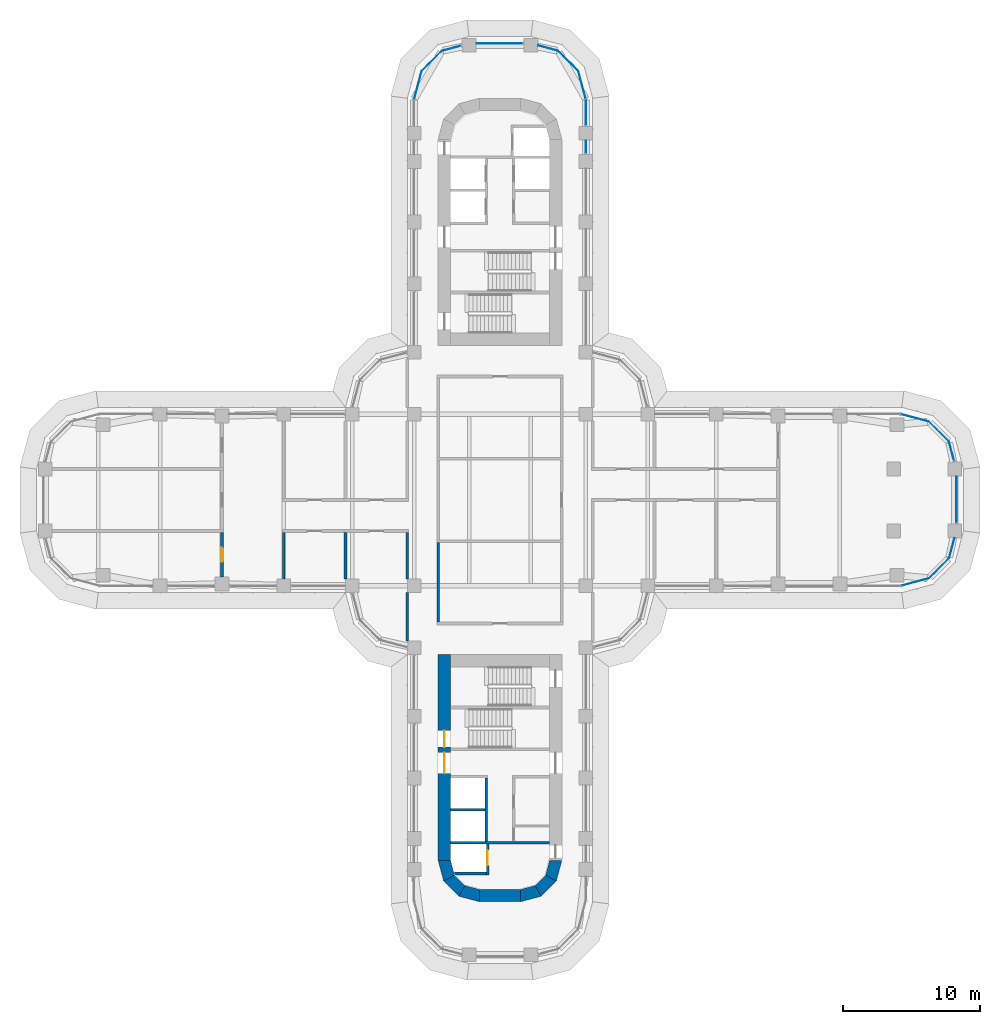
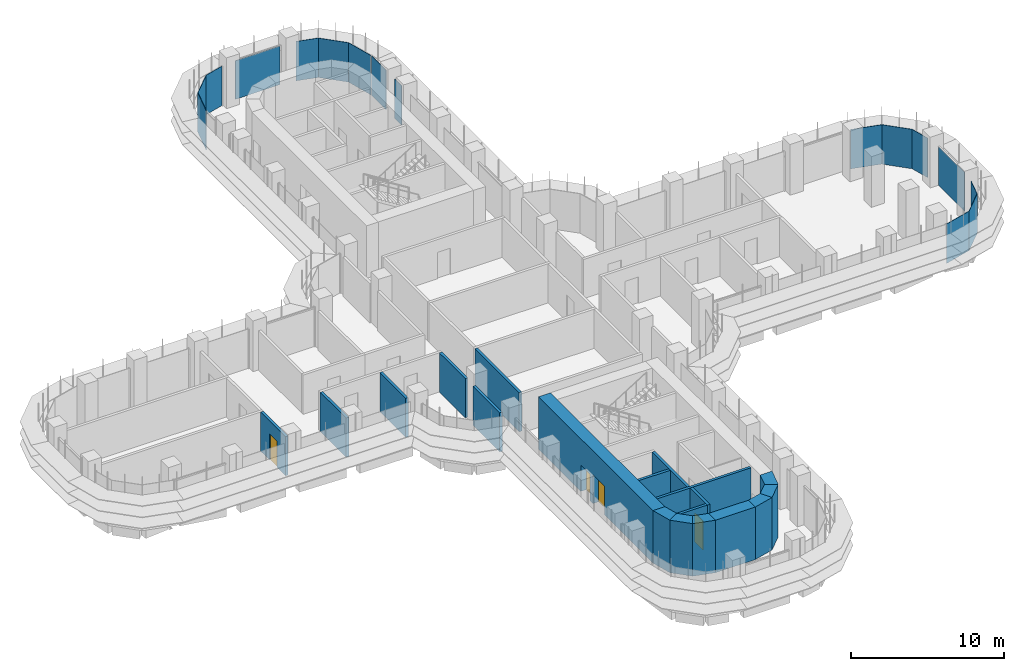
# One storey, part 16 of 23: 19 walls, 16 plates, 4 doors, 4 openings, 15 elements without a shape of their own.
"""IFC4 building model written with IfcOpenShell, lengths in metres."""

from ifc_helpers import new_model, si_unit, direction, frame, frame_2d, origin, place, context, subcontext, project, spatial, polyline, rectangle, outline, extrude, source, transform, mapped, material, layer, layer_set, type_object, element, fill, aggregate, save


model = new_model("IFC4")

# Units and contexts
model_context = context("Model", 3, precision=1e-05, world=origin(), true_north=direction((0.0, 1.0)))
body_context = subcontext(model_context, "Body", "Model", "MODEL_VIEW")
ifc_project = project(units=[si_unit("LENGTHUNIT", "METRE"), si_unit("AREAUNIT", "SQUARE_METRE"), si_unit("VOLUMEUNIT", "CUBIC_METRE"), si_unit("PLANEANGLEUNIT", "RADIAN"), si_unit("MASSUNIT", "GRAM", prefix="KILO")], contexts=[model_context])

# Site, building, storey
site_placement = place(None, origin())
site = spatial("IfcSite", under=ifc_project, at=site_placement, CompositionType="ELEMENT")
building_placement = place(site_placement, origin())
building = spatial("IfcBuilding", under=site, at=building_placement, Name="Zarbagh Exchange Tower", CompositionType="ELEMENT")
storey_placement = place(building_placement, frame((0.0, 0.0, 31.199951171875)))
storey = spatial("IfcBuildingStorey", under=building, at=storey_placement, Name="L06", CompositionType="ELEMENT", Elevation=31.199951171875)

# Curtain wall, plate
ifc_material_1 = material(Name="Anodised aluminium frame and glazing", Category="aluminium")
curtain_wall_type = type_object("IfcCurtainWallType", Name="CWA Ribbon glazing, lower zones", PredefinedType="NOTDEFINED", material=ifc_material_1)
curtain_wall_1_placement = place(storey_placement, origin())
curtain_wall_1 = element("IfcCurtainWall", 1, at=curtain_wall_1_placement, inside=storey, type_object=curtain_wall_type, Name="CWA13 curtain wall", PredefinedType="NOTDEFINED")
ifc_material_2 = material(Name="Low-e double glazed unit, 6+12+6 mm")
ifc_layer_1 = layer(ifc_material_2, 0.028076171875)
ifc_layer_set_1 = layer_set([ifc_layer_1], Name="PAA Glazing panel, Low-e double glazed unit, 6+12+6 mm")
plate_type = type_object("IfcPlateType", Name="PAA Glazing panel, Low-e double glazed unit, 6+12+6 mm", PredefinedType="CURTAIN_PANEL", material=ifc_layer_set_1)
shared_shape_1 = source(origin(), body_context, "Body", "SweptSolid", [
    extrude(outline(polyline([(0.0, -0.013916015625), (1.4423828125, -0.013916015625), (1.4423828125, 0.013916015625), (0.0, 0.013916015625), (0.0, -0.013916015625)])), origin(), (0.0, 0.0, 1.0), 3.14990234375),
])
placement = place(storey_placement, origin())
plate_1 = element("IfcPlate", 2, at=placement, type_object=plate_type, Name="CWA13 glazing panel 1.1", PredefinedType="CURTAIN_PANEL", context=body_context, shape_type="MappedRepresentation", body=[
    mapped(shared_shape_1, transform((33.072021484375, 2.847900390625, 0.0), x_axis=(-0.258824779902, 0.965924289636, 0.0), y_axis=(-0.965924289636, -0.258824779902, 0.0), z_axis=(0.0, 0.0, 1.0))),
])
aggregate(curtain_wall_1, [plate_1])

curtain_wall_2_placement = place(storey_placement, origin())
curtain_wall_2 = element("IfcCurtainWall", 3, at=curtain_wall_2_placement, inside=storey, type_object=curtain_wall_type, Name="CWA25 curtain wall", PredefinedType="NOTDEFINED")
plate_2 = element("IfcPlate", 4, at=placement, type_object=plate_type, Name="CWA25 glazing panel 1.1", PredefinedType="CURTAIN_PANEL", context=body_context, shape_type="MappedRepresentation", body=[
    mapped(shared_shape_1, transform((-2.847900390625, 33.072021484375, 0.0), x_axis=(-0.965924289636, -0.258824779902, 0.0), y_axis=(0.258824779902, -0.965924289636, 0.0), z_axis=(0.0, 0.0, 1.0))),
])
aggregate(curtain_wall_2, [plate_2])

curtain_wall_3_placement = place(storey_placement, origin())
curtain_wall_3 = element("IfcCurtainWall", 5, at=curtain_wall_3_placement, inside=storey, type_object=curtain_wall_type, Name="CWA10 curtain wall", PredefinedType="NOTDEFINED")
shared_shape_2 = source(origin(), body_context, "Body", "SweptSolid", [
    extrude(outline(polyline([(0.0, -0.013916015625), (2.061279296875, -0.013916015625), (2.061279296875, 0.013916015625), (0.0, 0.013916015625), (0.0, -0.013916015625)])), origin(), (0.0, 0.0, 1.0), 3.14990234375),
])
plate_3 = element("IfcPlate", 6, at=placement, type_object=plate_type, Name="CWA10 glazing panel 1.1", PredefinedType="CURTAIN_PANEL", context=body_context, shape_type="MappedRepresentation", body=[
    mapped(shared_shape_2, transform((31.2412109375, -5.69873046875, 0.0), x_axis=(0.707106781187, 0.707106781187, 0.0), y_axis=(-0.707106781187, 0.707106781187, 0.0), z_axis=(0.0, 0.0, 1.0))),
])
aggregate(curtain_wall_3, [plate_3])

curtain_wall_4_placement = place(storey_placement, origin())
curtain_wall_4 = element("IfcCurtainWall", 7, at=curtain_wall_4_placement, inside=storey, type_object=curtain_wall_type, Name="CWA14 curtain wall", PredefinedType="NOTDEFINED")
plate_4 = element("IfcPlate", 8, at=placement, type_object=plate_type, Name="CWA14 glazing panel 1.1", PredefinedType="CURTAIN_PANEL", context=body_context, shape_type="MappedRepresentation", body=[
    mapped(shared_shape_2, transform((32.69873046875, 4.2412109375, 0.0), x_axis=(-0.707106781187, 0.707106781187, 0.0), y_axis=(-0.707106781187, -0.707106781187, 0.0), z_axis=(0.0, 0.0, 1.0))),
])
aggregate(curtain_wall_4, [plate_4])

curtain_wall_5_placement = place(storey_placement, origin())
curtain_wall_5 = element("IfcCurtainWall", 9, at=curtain_wall_5_placement, inside=storey, type_object=curtain_wall_type, Name="CWA22 curtain wall", PredefinedType="NOTDEFINED")
plate_5 = element("IfcPlate", 10, at=placement, type_object=plate_type, Name="CWA22 glazing panel 1.1", PredefinedType="CURTAIN_PANEL", context=body_context, shape_type="MappedRepresentation", body=[
    mapped(shared_shape_2, transform((5.69873046875, 31.2412109375, 0.0), x_axis=(-0.707106781187, 0.707106781187, 0.0), y_axis=(-0.707106781187, -0.707106781187, 0.0), z_axis=(0.0, 0.0, 1.0))),
])
aggregate(curtain_wall_5, [plate_5])

curtain_wall_6_placement = place(storey_placement, origin())
curtain_wall_6 = element("IfcCurtainWall", 11, at=curtain_wall_6_placement, inside=storey, type_object=curtain_wall_type, Name="CWA26 curtain wall", PredefinedType="NOTDEFINED")
plate_6 = element("IfcPlate", 12, at=placement, type_object=plate_type, Name="CWA26 glazing panel 1.1", PredefinedType="CURTAIN_PANEL", context=body_context, shape_type="MappedRepresentation", body=[
    mapped(shared_shape_2, transform((-4.2412109375, 32.69873046875, 0.0), x_axis=(-0.707106781187, -0.707106781187, 0.0), y_axis=(0.707106781187, -0.707106781187, 0.0), z_axis=(0.0, 0.0, 1.0))),
])
aggregate(curtain_wall_6, [plate_6])

curtain_wall_7_placement = place(storey_placement, origin())
curtain_wall_7 = element("IfcCurtainWall", 13, at=curtain_wall_7_placement, inside=storey, type_object=curtain_wall_type, Name="CWA15 curtain wall", PredefinedType="NOTDEFINED")
shared_shape_3 = source(origin(), body_context, "Body", "SweptSolid", [
    extrude(outline(polyline([(0.0, -0.013916015625), (2.129638671875, -0.013916015625), (2.129638671875, 0.013916015625), (0.0, 0.013916015625), (0.0, -0.013916015625)])), origin(), (0.0, 0.0, 1.0), 3.14990234375),
])
plate_7 = element("IfcPlate", 14, at=placement, type_object=plate_type, Name="CWA15 glazing panel 1.1", PredefinedType="CURTAIN_PANEL", context=body_context, shape_type="MappedRepresentation", body=[
    mapped(shared_shape_3, transform((31.2412109375, 5.69873046875, 0.0), x_axis=(-0.965924289636, 0.258824779902, 0.0), y_axis=(-0.258824779902, -0.965924289636, 0.0), z_axis=(0.0, 0.0, 1.0))),
])
aggregate(curtain_wall_7, [plate_7])

curtain_wall_8_placement = place(storey_placement, origin())
curtain_wall_8 = element("IfcCurtainWall", 15, at=curtain_wall_8_placement, inside=storey, type_object=curtain_wall_type, Name="CWA27 curtain wall", PredefinedType="NOTDEFINED")
plate_8 = element("IfcPlate", 16, at=placement, type_object=plate_type, Name="CWA27 glazing panel 1.1", PredefinedType="CURTAIN_PANEL", context=body_context, shape_type="MappedRepresentation", body=[
    mapped(shared_shape_3, transform((-5.69873046875, 31.2412109375, 0.0), x_axis=(-0.258824779902, -0.965924289636, 0.0), y_axis=(0.965924289636, -0.258824779902, 0.0), z_axis=(0.0, 0.0, 1.0))),
])
aggregate(curtain_wall_8, [plate_8])

curtain_wall_9_placement = place(storey_placement, origin())
curtain_wall_9 = element("IfcCurtainWall", 17, at=curtain_wall_9_placement, inside=storey, type_object=curtain_wall_type, Name="CWA09 curtain wall", PredefinedType="NOTDEFINED")
shared_shape_4 = source(origin(), body_context, "Body", "SweptSolid", [
    extrude(outline(polyline([(0.0, -0.013916015625), (2.069580078125, -0.013916015625), (2.069580078125, 0.013916015625), (0.0, 0.013916015625), (0.0, -0.013916015625)])), origin(), (0.0, 0.0, 1.0), 3.14990234375),
])
plate_9 = element("IfcPlate", 18, at=placement, type_object=plate_type, Name="CWA09 glazing panel 1.1", PredefinedType="CURTAIN_PANEL", context=body_context, shape_type="MappedRepresentation", body=[
    mapped(shared_shape_4, transform((29.2421875, -6.234375, 0.0), x_axis=(0.965924289636, 0.258824779902, 0.0), y_axis=(-0.258824779902, 0.965924289636, 0.0), z_axis=(0.0, 0.0, 1.0))),
])
aggregate(curtain_wall_9, [plate_9])

curtain_wall_10_placement = place(storey_placement, origin())
curtain_wall_10 = element("IfcCurtainWall", 19, at=curtain_wall_10_placement, inside=storey, type_object=curtain_wall_type, Name="CWA21 curtain wall", PredefinedType="NOTDEFINED")
plate_10 = element("IfcPlate", 20, at=placement, type_object=plate_type, Name="CWA21 glazing panel 1.1", PredefinedType="CURTAIN_PANEL", context=body_context, shape_type="MappedRepresentation", body=[
    mapped(shared_shape_4, transform((6.234375, 29.2421875, 0.0), x_axis=(-0.258824779902, 0.965924289636, 0.0), y_axis=(-0.965924289636, -0.258824779902, 0.0), z_axis=(0.0, 0.0, 1.0))),
])
aggregate(curtain_wall_10, [plate_10])

curtain_wall_11_placement = place(storey_placement, origin())
curtain_wall_11 = element("IfcCurtainWall", 21, at=curtain_wall_11_placement, inside=storey, type_object=curtain_wall_type, Name="CWA11 curtain wall", PredefinedType="NOTDEFINED")
shared_shape_5 = source(origin(), body_context, "Body", "SweptSolid", [
    extrude(outline(polyline([(0.0, -0.013916015625), (1.50244140625, -0.013916015625), (1.50244140625, 0.013916015625), (0.0, 0.013916015625), (0.0, -0.013916015625)])), origin(), (0.0, 0.0, 1.0), 3.14990234375),
])
plate_11 = element("IfcPlate", 22, at=placement, type_object=plate_type, Name="CWA11 glazing panel 1.1", PredefinedType="CURTAIN_PANEL", context=body_context, shape_type="MappedRepresentation", body=[
    mapped(shared_shape_5, transform((32.69873046875, -4.2412109375, 0.0), x_axis=(0.258824779902, 0.965924289636, 0.0), y_axis=(-0.965924289636, 0.258824779902, 0.0), z_axis=(0.0, 0.0, 1.0))),
])
aggregate(curtain_wall_11, [plate_11])

curtain_wall_12_placement = place(storey_placement, origin())
curtain_wall_12 = element("IfcCurtainWall", 23, at=curtain_wall_12_placement, inside=storey, type_object=curtain_wall_type, Name="CWA23 curtain wall", PredefinedType="NOTDEFINED")
plate_12 = element("IfcPlate", 24, at=placement, type_object=plate_type, Name="CWA23 glazing panel 1.1", PredefinedType="CURTAIN_PANEL", context=body_context, shape_type="MappedRepresentation", body=[
    mapped(shared_shape_5, transform((4.2412109375, 32.69873046875, 0.0), x_axis=(-0.965924289636, 0.258824779902, 0.0), y_axis=(-0.258824779902, -0.965924289636, 0.0), z_axis=(0.0, 0.0, 1.0))),
])
aggregate(curtain_wall_12, [plate_12])

curtain_wall_13_placement = place(storey_placement, origin())
curtain_wall_13 = element("IfcCurtainWall", 25, at=curtain_wall_13_placement, inside=storey, type_object=curtain_wall_type, Name="CWA12 curtain wall", PredefinedType="NOTDEFINED")
shared_shape_6 = source(origin(), body_context, "Body", "SweptSolid", [
    extrude(outline(polyline([(0.0, -0.013916015625), (3.360107421875, -0.013916015625), (3.360107421875, 0.013916015625), (0.0, 0.013916015625), (0.0, -0.013916015625)])), origin(), (0.0, 0.0, 1.0), 3.090087890625),
])
plate_13 = element("IfcPlate", 26, at=placement, type_object=plate_type, Name="CWA12 glazing panel 1.1", PredefinedType="CURTAIN_PANEL", context=body_context, shape_type="MappedRepresentation", body=[
    mapped(shared_shape_6, transform((33.25, -1.64990234375, 0.0), x_axis=(0.0, 1.0, 0.0), y_axis=(-1.0, 0.0, 0.0), z_axis=(0.0, 0.0, 1.0))),
])
aggregate(curtain_wall_13, [plate_13])

curtain_wall_14_placement = place(storey_placement, origin())
curtain_wall_14 = element("IfcCurtainWall", 27, at=curtain_wall_14_placement, inside=storey, type_object=curtain_wall_type, Name="CWA24 curtain wall", PredefinedType="NOTDEFINED")
plate_14 = element("IfcPlate", 28, at=placement, type_object=plate_type, Name="CWA24 glazing panel 1.1", PredefinedType="CURTAIN_PANEL", context=body_context, shape_type="MappedRepresentation", body=[
    mapped(shared_shape_6, transform((1.64990234375, 33.25, 0.0), x_axis=(-1.0, 0.0, 0.0), y_axis=(0.0, -1.0, 0.0), z_axis=(0.0, 0.0, 1.0))),
])
aggregate(curtain_wall_14, [plate_14])

# Curtain wall, plates
curtain_wall_15_placement = place(storey_placement, origin())
curtain_wall_15 = element("IfcCurtainWall", 29, at=curtain_wall_15_placement, inside=storey, type_object=curtain_wall_type, Name="CWA20 curtain wall", PredefinedType="NOTDEFINED")
shared_shape_7 = source(origin(), body_context, "Body", "SweptSolid", [
    extrude(outline(polyline([(0.0, -0.013916015625), (0.909912109375, -0.013916015625), (0.909912109375, 0.013916015625), (0.0, 0.013916015625), (0.0, -0.013916015625)])), origin(), (0.0, 0.0, 1.0), 3.14990234375),
])
plate_15 = element("IfcPlate", 30, at=placement, type_object=plate_type, Name="CWA20 glazing panel 4.1", PredefinedType="CURTAIN_PANEL", context=body_context, shape_type="MappedRepresentation", body=[
    mapped(shared_shape_7, transform((6.25, 25.25, 0.0), x_axis=(0.0, 1.0, 0.0), y_axis=(-1.0, 0.0, 0.0), z_axis=(0.0, 0.0, 1.0))),
])
shared_shape_8 = source(origin(), body_context, "Body", "SweptSolid", [
    extrude(outline(polyline([(0.0, -0.013916015625), (1.884033203125, -0.013916015625), (1.884033203125, 0.013916015625), (0.0, 0.013916015625), (0.0, -0.013916015625)])), origin(), (0.0, 0.0, 1.0), 3.14990234375),
])
plate_16 = element("IfcPlate", 31, at=placement, type_object=plate_type, Name="CWA20 glazing panel 5.1", PredefinedType="CURTAIN_PANEL", context=body_context, shape_type="MappedRepresentation", body=[
    mapped(shared_shape_8, transform((6.25, 27.300048828125, 0.0), x_axis=(0.0, 1.0, 0.0), y_axis=(-1.0, 0.0, 0.0), z_axis=(0.0, 0.0, 1.0))),
])
aggregate(curtain_wall_15, [plate_15, plate_16])

# Walls
ifc_material_3 = material(Name="Fire-rated plasterboard partition")
ifc_layer_2 = layer(ifc_material_3, 0.199951171875)
ifc_layer_set_2 = layer_set([ifc_layer_2], Name="RATED PARTITION 200")
wall_type_1 = type_object("IfcWallType", Name="RATED PARTITION 200", PredefinedType="PARTITIONING", material=ifc_layer_set_2)
wall_1_placement = place(storey_placement, frame((-4.5, -8.89990234375, 0.0), z_axis=(0.0, 0.0, 1.0), x_axis=(0.0, 1.0, 0.0)))
element("IfcWall", 32, at=wall_1_placement, inside=storey, type_object=wall_type_1, Name="Partition W-203", PredefinedType="PARTITIONING", context=body_context, shape_type="SweptSolid", body=[
    extrude(rectangle(XDim=5.7998046875, YDim=0.199951171875, at=frame_2d((2.89990234375, 0.0))), origin(), (0.0, 0.0, 1.0), 3.130615234375),
])
wall_2_placement = place(storey_placement, frame((-6.75, -10.25, 0.0), z_axis=(0.0, 0.0, 1.0), x_axis=(0.0, 1.0, 0.0)))
element("IfcWall", 33, at=wall_2_placement, inside=storey, type_object=wall_type_1, Name="Partition W-206", PredefinedType="PARTITIONING", context=body_context, shape_type="SweptSolid", body=[
    extrude(rectangle(XDim=3.5, YDim=0.199951171875, at=frame_2d((1.75, 0.0))), origin(), (0.0, 0.0, 1.0), 3.130615234375),
])
for number, where, z_axis, x_axis, name in (
    (34, (-6.75, -5.75, 0.0), (0.0, 0.0, 1.0), (0.0, 1.0, 0.0), "Partition W-207"),
    (35, (-11.25, -5.75, 0.0), (0.0, 0.0, 1.0), (0.0, 1.0, 0.0), "Partition W-235"),
    (36, (-15.75, -5.75, 0.0), (0.0, 0.0, 1.0), (0.0, 1.0, 0.0), "Partition W-237"),
):
    element("IfcWall", number, at=place(storey_placement, frame(where, z_axis=z_axis, x_axis=x_axis)), inside=storey, type_object=wall_type_1, Name=name, PredefinedType="PARTITIONING", context=body_context, shape_type="SweptSolid", body=[
        extrude(rectangle(XDim=3.39990234375, YDim=0.199951171875, at=frame_2d((1.699951171875, 0.0))), origin(), (0.0, 0.0, 1.0), 3.130615234375),
    ])

# Wall, opening, door
wall_3_placement = place(storey_placement, frame((-20.25, -5.610107421875, 0.0), z_axis=(0.0, 0.0, 1.0), x_axis=(0.0, 1.0, 0.0)))
wall_3 = element("IfcWall", 37, at=wall_3_placement, inside=storey, type_object=wall_type_1, Name="Partition W-238", PredefinedType="PARTITIONING", context=body_context, shape_type="SweptSolid", body=[
    extrude(rectangle(XDim=3.260009765625, YDim=0.199951171875, at=frame_2d((1.6298828125, 0.0))), origin(), (0.0, 0.0, 1.0), 3.130615234375),
])
opening_1_placement = place(wall_3_placement, frame((1.1298828125, 0.0, 0.0)))
opening_1 = element("IfcOpeningElement", 38, at=opening_1_placement, cuts=wall_3, Name="Opening D-214", PredefinedType="OPENING", context=body_context, shape_type="SweptSolid", body=[
    extrude(rectangle(XDim=1.0, YDim=2.10009765625, at=frame_2d((0.5, 1.050048828125))), frame((0.0, 0.10986328125, 0.0), z_axis=(0.0, -1.0, 0.0), x_axis=(1.0, 0.0, 0.0)), (0.0, 0.0, 1.0), 0.219970703125),
])
ifc_material_4 = material(Name="Steel door set", Category="steel")
door_type_1 = type_object("IfcDoorType", Name="FIRE DOOR 1000 X 2100 FD30S", OperationType="NOTDEFINED", PredefinedType="DOOR", material=ifc_material_4)
door_1_placement = place(opening_1_placement, origin())
door_1 = element("IfcDoor", 39, at=door_1_placement, inside=storey, type_object=door_type_1, Name="Door D-214", OperationType="SINGLE_SWING_LEFT", OverallHeight=2.10009765625, OverallWidth=1.0, PredefinedType="DOOR", context=body_context, shape_type="SweptSolid", body=[
    extrude(rectangle(XDim=1.0, YDim=2.10009765625, at=frame_2d((0.5, 1.050048828125))), frame((0.0, 0.02490234375, 0.0), z_axis=(0.0, -1.0, 0.0), x_axis=(1.0, 0.0, 0.0)), (0.0, 0.0, 1.0), 0.050048828125),
])
fill(opening_1, door_1)

# Walls
ifc_material_5 = material(Name="Concrete C60/75", Category="concrete")
ifc_layer_3 = layer(ifc_material_5, 0.89990234375)
ifc_layer_set_3 = layer_set([ifc_layer_3], Name="RC core corner wall 900 C60/75")
wall_type_2 = type_object("IfcWallType", Name="RC core corner wall 900 C60/75", PredefinedType="SHEAR", material=ifc_layer_set_3)
wall_4_placement = place(storey_placement, origin())
element("IfcWall", 40, at=wall_4_placement, inside=storey, type_object=wall_type_2, Name="CW2 core S corner W", PredefinedType="SHEAR", context=body_context, shape_type="SweptSolid", body=[
    extrude(outline(polyline([(-4.5, -26.25), (-4.09814453125, -27.75), (-3.318603515625, -27.300048828125), (-3.60009765625, -26.25), (-4.5, -26.25)])), origin(), (0.0, 0.0, 1.0), 4.199951171875),
])
wall_5_placement = place(storey_placement, origin())
element("IfcWall", 41, at=wall_5_placement, inside=storey, type_object=wall_type_2, Name="CW2 core S corner W", PredefinedType="SHEAR", context=body_context, shape_type="SweptSolid", body=[
    extrude(outline(polyline([(-4.09814453125, -27.75), (-3.0, -28.84814453125), (-2.550048828125, -28.068603515625), (-3.318603515625, -27.300048828125), (-4.09814453125, -27.75)])), origin(), (0.0, 0.0, 1.0), 4.199951171875),
])
wall_6_placement = place(storey_placement, origin())
element("IfcWall", 42, at=wall_6_placement, inside=storey, type_object=wall_type_2, Name="CW2 core S corner W", PredefinedType="SHEAR", context=body_context, shape_type="SweptSolid", body=[
    extrude(outline(polyline([(-3.0, -28.84814453125), (-1.5, -29.25), (-1.5, -28.35009765625), (-2.550048828125, -28.068603515625), (-3.0, -28.84814453125)])), origin(), (0.0, 0.0, 1.0), 4.199951171875),
])
wall_7_placement = place(storey_placement, origin())
element("IfcWall", 43, at=wall_7_placement, inside=storey, type_object=wall_type_2, Name="CW2 core S corner E", PredefinedType="SHEAR", context=body_context, shape_type="SweptSolid", body=[
    extrude(outline(polyline([(4.5, -26.25), (4.09814453125, -27.75), (3.318603515625, -27.300048828125), (3.60009765625, -26.25), (4.5, -26.25)])), origin(), (0.0, 0.0, 1.0), 4.199951171875),
])
wall_8_placement = place(storey_placement, origin())
element("IfcWall", 44, at=wall_8_placement, inside=storey, type_object=wall_type_2, Name="CW2 core S corner E", PredefinedType="SHEAR", context=body_context, shape_type="SweptSolid", body=[
    extrude(outline(polyline([(4.09814453125, -27.75), (3.0, -28.84814453125), (2.550048828125, -28.068603515625), (3.318603515625, -27.300048828125), (4.09814453125, -27.75)])), origin(), (0.0, 0.0, 1.0), 4.199951171875),
])
wall_9_placement = place(storey_placement, origin())
element("IfcWall", 45, at=wall_9_placement, inside=storey, type_object=wall_type_2, Name="CW2 core S corner E", PredefinedType="SHEAR", context=body_context, shape_type="SweptSolid", body=[
    extrude(outline(polyline([(3.0, -28.84814453125), (1.5, -29.25), (1.5, -28.35009765625), (2.550048828125, -28.068603515625), (3.0, -28.84814453125)])), origin(), (0.0, 0.0, 1.0), 4.199951171875),
])

# Wall, openings, doors
ifc_layer_4 = layer(ifc_material_5, 0.89990234375)
ifc_layer_set_4 = layer_set([ifc_layer_4], Name="RC core wall 900 C60/75")
wall_type_3 = type_object("IfcWallType", Name="RC core wall 900 C60/75", PredefinedType="SHEAR", material=ifc_layer_set_4)
wall_10_placement = place(storey_placement, frame((-4.050048828125, -11.25, 0.0), z_axis=(0.0, 0.0, 1.0), x_axis=(0.0, -1.0, 0.0)))
wall_10 = element("IfcWall", 46, at=wall_10_placement, inside=storey, type_object=wall_type_3, Name="CW1 core S W", PredefinedType="SHEAR", context=body_context, shape_type="SweptSolid", body=[
    extrude(rectangle(XDim=15.0, YDim=0.89990234375, at=frame_2d((7.5, 0.0))), origin(), (0.0, 0.0, 1.0), 4.199951171875),
])
opening_2_placement = place(wall_10_placement, frame((7.14990234375, 0.0, 0.0)))
opening_2 = element("IfcOpeningElement", 47, at=opening_2_placement, cuts=wall_10, Name="Opening CD1-1500", PredefinedType="OPENING", context=body_context, shape_type="SweptSolid", body=[
    extrude(rectangle(XDim=1.5, YDim=2.300048828125, at=frame_2d((0.75, 1.14990234375))), frame((0.0, 0.4599609375, 0.0), z_axis=(0.0, -1.0, 0.0), x_axis=(1.0, 0.0, 0.0)), (0.0, 0.0, 1.0), 0.919921875),
])
opening_3_placement = place(wall_10_placement, frame((5.550048828125, 0.0, 0.0)))
opening_3 = element("IfcOpeningElement", 48, at=opening_3_placement, cuts=wall_10, Name="Opening SD1-1200", PredefinedType="OPENING", context=body_context, shape_type="SweptSolid", body=[
    extrude(rectangle(XDim=1.199951171875, YDim=2.10009765625, at=frame_2d((0.60009765625, 1.050048828125))), frame((0.0, 0.4599609375, 0.0), z_axis=(0.0, -1.0, 0.0), x_axis=(1.0, 0.0, 0.0)), (0.0, 0.0, 1.0), 0.919921875),
])
ifc_material_6 = material(Name="Steel", Category="steel")
door_type_2 = type_object("IfcDoorType", Name="Exit stair door 1200 x 2100", OperationType="NOTDEFINED", PredefinedType="DOOR", material=ifc_material_6)
door_2_placement = place(opening_3_placement, origin())
door_2 = element("IfcDoor", 49, at=door_2_placement, inside=storey, type_object=door_type_2, Name="South core stair door ST1", OperationType="SINGLE_SWING_LEFT", OverallHeight=2.10009765625, OverallWidth=1.199951171875, PredefinedType="DOOR", context=body_context, shape_type="SweptSolid", body=[
    extrude(rectangle(XDim=1.199951171875, YDim=2.10009765625, at=frame_2d((0.60009765625, 1.050048828125))), frame((0.0, 0.02490234375, 0.0), z_axis=(0.0, -1.0, 0.0), x_axis=(1.0, 0.0, 0.0)), (0.0, 0.0, 1.0), 0.050048828125),
])
fill(opening_3, door_2)
door_type_3 = type_object("IfcDoorType", Name="Lift lobby double door 1500 x 2300", OperationType="NOTDEFINED", PredefinedType="DOOR", material=ifc_material_6)
door_3_placement = place(opening_2_placement, origin())
door_3 = element("IfcDoor", 50, at=door_3_placement, inside=storey, type_object=door_type_3, Name="South core lift lobby door LOBBY-E", OperationType="DOUBLE_DOOR_SINGLE_SWING", OverallHeight=2.300048828125, OverallWidth=1.5, PredefinedType="DOOR", context=body_context, shape_type="SweptSolid", body=[
    extrude(rectangle(XDim=1.5, YDim=2.300048828125, at=frame_2d((0.75, 1.14990234375))), frame((0.0, 0.02490234375, 0.0), z_axis=(0.0, -1.0, 0.0), x_axis=(1.0, 0.0, 0.0)), (0.0, 0.0, 1.0), 0.050048828125),
])
fill(opening_2, door_3)

# Walls
wall_11_placement = place(storey_placement, frame((-1.5, -28.800048828125, 0.0), z_axis=(0.0, 0.0, 1.0), x_axis=(1.0, 0.0, 0.0)))
element("IfcWall", 51, at=wall_11_placement, inside=storey, type_object=wall_type_3, Name="CW1 core S outer end", PredefinedType="SHEAR", context=body_context, shape_type="SweptSolid", body=[
    extrude(rectangle(XDim=3.0, YDim=0.89990234375, at=frame_2d((1.5, 0.0))), origin(), (0.0, 0.0, 1.0), 4.199951171875),
])
ifc_material_7 = material(Name="Dense blockwork", Category="masonry")
ifc_layer_5 = layer(ifc_material_7, 0.199951171875)
ifc_layer_set_5 = layer_set([ifc_layer_5], Name="Shaft wall 200 mm blockwork")
wall_type_4 = type_object("IfcWallType", Name="Shaft wall 200 mm blockwork", PredefinedType="PARTITIONING", material=ifc_layer_set_5)
wall_12_placement = place(storey_placement, frame((-1.0, -24.85009765625, 0.0), z_axis=(0.0, 0.0, 1.0), x_axis=(0.0, 1.0, 0.0)))
element("IfcWall", 52, at=wall_12_placement, inside=storey, type_object=wall_type_4, Name="South core shaft wall LW-E", PredefinedType="PARTITIONING", context=body_context, shape_type="SweptSolid", body=[
    extrude(rectangle(XDim=4.60009765625, YDim=0.199951171875, at=frame_2d((2.300048828125, 0.0))), origin(), (0.0, 0.0, 1.0), 4.050048828125),
])
wall_13_placement = place(storey_placement, frame((-1.10009765625, -22.550048828125, 0.0), z_axis=(0.0, 0.0, 1.0), x_axis=(-1.0, 0.0, 0.0)))
element("IfcWall", 53, at=wall_13_placement, inside=storey, type_object=wall_type_4, Name="South core shaft wall TR-E", PredefinedType="PARTITIONING", context=body_context, shape_type="SweptSolid", body=[
    extrude(rectangle(XDim=2.5, YDim=0.199951171875, at=frame_2d((1.25, 0.0))), origin(), (0.0, 0.0, 1.0), 4.050048828125),
])
ifc_material_8 = material(Name="Concrete C40/50", Category="concrete")
ifc_layer_6 = layer(ifc_material_8, 0.199951171875)
ifc_layer_set_6 = layer_set([ifc_layer_6], Name="Stair enclosure wall 200 mm RC C40/50")
wall_type_5 = type_object("IfcWallType", Name="Stair enclosure wall 200 mm RC C40/50", PredefinedType="SHEAR", material=ifc_layer_set_6)
wall_14_placement = place(storey_placement, frame((3.60009765625, -24.949951171875, 0.0), z_axis=(0.0, 0.0, 1.0), x_axis=(-1.0, 0.0, 0.0)))
element("IfcWall", 54, at=wall_14_placement, inside=storey, type_object=wall_type_5, Name="South core lift shaft wall FFA", PredefinedType="SHEAR", context=body_context, shape_type="SweptSolid", body=[
    extrude(rectangle(XDim=7.2001953125, YDim=0.199951171875, at=frame_2d((3.60009765625, 0.0))), origin(), (0.0, 0.0, 1.0), 4.050048828125),
])

# Wall, opening, door
wall_15_placement = place(storey_placement, frame((-0.89990234375, -27.300048828125, 0.0), z_axis=(0.0, 0.0, 1.0), x_axis=(0.0, 1.0, 0.0)))
wall_15 = element("IfcWall", 55, at=wall_15_placement, inside=storey, type_object=wall_type_5, Name="South core lift shaft wall FFL", PredefinedType="SHEAR", context=body_context, shape_type="SweptSolid", body=[
    extrude(rectangle(XDim=2.25, YDim=0.199951171875, at=frame_2d((1.125, 0.0))), origin(), (0.0, 0.0, 1.0), 4.050048828125),
])
opening_4_placement = place(wall_15_placement, frame((0.699951171875, 0.0, 0.0)))
opening_4 = element("IfcOpeningElement", 56, at=opening_4_placement, cuts=wall_15, Name="Opening LD-1100", PredefinedType="OPENING", context=body_context, shape_type="SweptSolid", body=[
    extrude(rectangle(XDim=1.10009765625, YDim=2.300048828125, at=frame_2d((0.550048828125, 1.14990234375))), frame((0.0, 0.10986328125, 0.0), z_axis=(0.0, -1.0, 0.0), x_axis=(1.0, 0.0, 0.0)), (0.0, 0.0, 1.0), 0.219970703125),
])
ifc_material_9 = material(Name="Stainless steel", Category="steel")
door_type_4 = type_object("IfcDoorType", Name="Lift landing door 1100 x 2300", OperationType="NOTDEFINED", PredefinedType="DOOR", material=ifc_material_9)
door_4_placement = place(opening_4_placement, origin())
door_4 = element("IfcDoor", 57, at=door_4_placement, inside=storey, type_object=door_type_4, Name="South core lift landing door LD-F", OperationType="DOUBLE_DOOR_SLIDING", OverallHeight=2.300048828125, OverallWidth=1.10009765625, PredefinedType="DOOR", context=body_context, shape_type="SweptSolid", body=[
    extrude(rectangle(XDim=1.10009765625, YDim=2.300048828125, at=frame_2d((0.550048828125, 1.14990234375))), frame((0.0, 0.02490234375, 0.0), z_axis=(0.0, -1.0, 0.0), x_axis=(1.0, 0.0, 0.0)), (0.0, 0.0, 1.0), 0.050048828125),
])
fill(opening_4, door_4)

# Wall
wall_16_placement = place(storey_placement, origin())
element("IfcWall", 58, at=wall_16_placement, inside=storey, type_object=wall_type_5, Name="South core lift shaft wall FFX", PredefinedType="SHEAR", context=body_context, shape_type="SweptSolid", body=[
    extrude(outline(polyline([(-1.0, -27.10009765625), (-3.340576171875, -27.10009765625), (-3.291259765625, -27.2841796875), (-3.275390625, -27.300048828125), (-1.0, -27.300048828125), (-1.0, -27.10009765625)])), origin(), (0.0, 0.0, 1.0), 4.050048828125),
])

save(model, "model.ifc")
